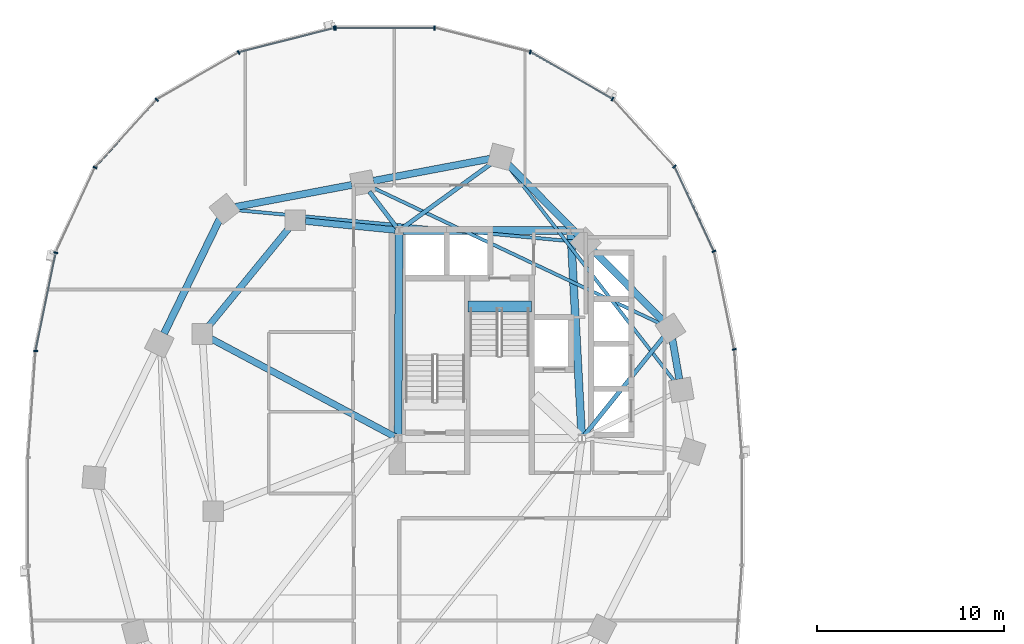
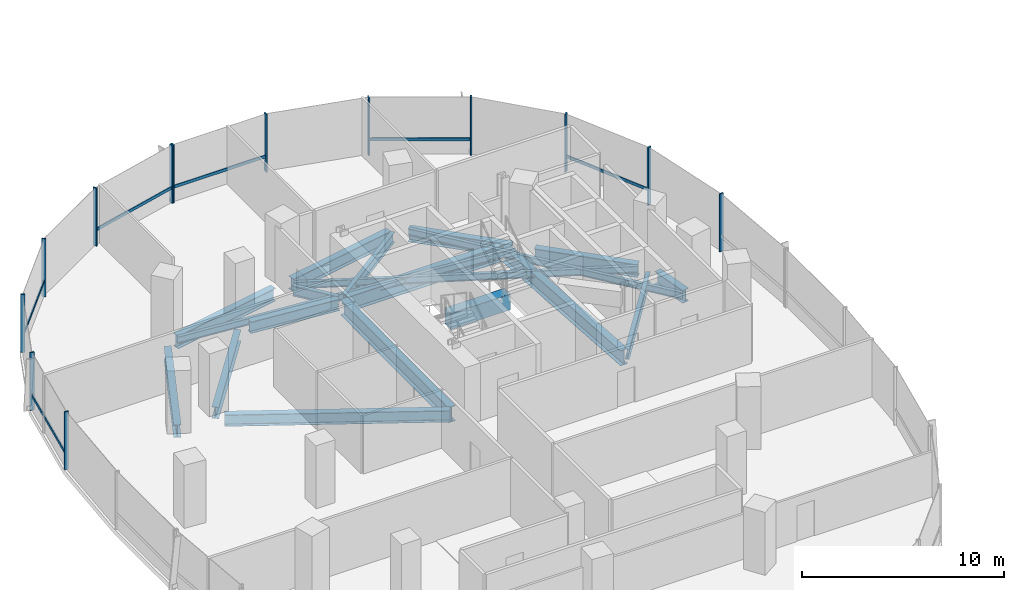
# One storey, part 4 of 21: 19 beams, 19 members, 2 elements without a shape of their own.
"""IFC4 building model written with IfcOpenShell, lengths in metres."""

from ifc_helpers import new_model, si_unit, direction, frame, origin, origin_2d, place, context, subcontext, project, spatial, rectangle, i_section, extrude, material, material_profile, profile_set, type_object, element, aggregate, save


model = new_model("IFC4")

# Units and contexts
model_context = context("Model", 3, precision=1e-05, world=origin(), true_north=direction((0.0, 1.0)))
body_context = subcontext(model_context, "Body", "Model", "MODEL_VIEW")
ifc_project = project(units=[si_unit("LENGTHUNIT", "METRE"), si_unit("AREAUNIT", "SQUARE_METRE"), si_unit("VOLUMEUNIT", "CUBIC_METRE"), si_unit("PLANEANGLEUNIT", "RADIAN"), si_unit("MASSUNIT", "GRAM", prefix="KILO"), si_unit("THERMODYNAMICTEMPERATUREUNIT", "KELVIN"), si_unit("POWERUNIT", "WATT")], contexts=[model_context])

# Site, building, storey
site_placement = place(None, origin())
site = spatial("IfcSite", under=ifc_project, at=site_placement, CompositionType="ELEMENT")
building_placement = place(site_placement, origin())
building = spatial("IfcBuilding", under=site, at=building_placement, Name="Cundina Bronze Exchange", CompositionType="ELEMENT")
storey_placement = place(building_placement, frame((0.0, 0.0, 58.199951171875)))
storey = spatial("IfcBuildingStorey", under=building, at=storey_placement, Name="L14", CompositionType="ELEMENT", Elevation=58.199951171875)

# Beams
ifc_material_1 = material(Name="Concrete C60/75", Category="concrete")
ifc_material_profile_1 = material_profile(ifc_material_1, rectangle(XDim=0.60009765625, YDim=0.949951171875, at=origin_2d()), Name="RC600X950", Category="concrete")
ifc_profile_set_1 = profile_set([ifc_material_profile_1], Name="Concrete C60/75")
beam_type_1 = type_object("IfcBeamType", Name="BM-COUP-RC950", PredefinedType="LINTEL", material=ifc_profile_set_1)
beam_1_placement = place(storey_placement, frame((-27.56005859375, 10.97998046875, -0.474853515625), z_axis=(1.0, 0.0, 0.0), x_axis=(0.0, 1.0, 0.0)))
element("IfcBeam", 1, at=beam_1_placement, inside=storey, type_object=beam_type_1, Name="L14 Stair W2 Landing Header Beam", PredefinedType="LINTEL", context=body_context, shape_type="SweptSolid", body=[
    extrude(rectangle(XDim=0.60009765625, YDim=0.949951171875, at=origin_2d()), origin(), (0.0, 0.0, 1.0), 3.400146484375),
])
ifc_material_2 = material(Name="Steel ASTM A992 Grade 50", Category="steel")
ifc_material_profile_2 = material_profile(ifc_material_2, i_section(OverallWidth=0.22998046875, OverallDepth=0.616943359375, WebThickness=0.01318359375, FlangeThickness=0.022216796875, FilletRadius=0.013916015625, at=origin_2d()), Name="W24X94", Category="steel")
ifc_profile_set_2 = profile_set([ifc_material_profile_2], Name="Steel ASTM A992 Grade 50")
beam_type_2 = type_object("IfcBeamType", Name="BM-FLR-W24B", PredefinedType="BEAM", material=ifc_profile_set_2)
beam_2_placement = place(storey_placement, frame((-21.322021484375, 4.058837890625, -0.6083984375), z_axis=(0.627106366175, 0.778933633568, 0.0), x_axis=(-0.778933633568, 0.627106366175, 0.0)))
element("IfcBeam", 2, at=beam_2_placement, inside=storey, type_object=beam_type_2, Name="L14 Leg W Radial Floor Beam 02", PredefinedType="BEAM", context=body_context, shape_type="SweptSolid", body=[
    extrude(i_section(OverallWidth=0.22998046875, OverallDepth=0.616943359375, WebThickness=0.01318359375, FlangeThickness=0.022216796875, FilletRadius=0.013916015625, at=origin_2d()), origin(), (0.0, 0.0, 1.0), 6.78271484375),
])
beam_3_placement = place(storey_placement, frame((-31.084716796875, 15.169677734375, -0.6083984375), z_axis=(0.809700299677, 0.586843611794, 0.0), x_axis=(-0.586843611794, 0.809700299677, 0.0)))
element("IfcBeam", 3, at=beam_3_placement, inside=storey, type_object=beam_type_2, Name="L14 Leg W Radial Floor Beam 04", PredefinedType="BEAM", context=body_context, shape_type="SweptSolid", body=[
    extrude(i_section(OverallWidth=0.22998046875, OverallDepth=0.616943359375, WebThickness=0.01318359375, FlangeThickness=0.022216796875, FilletRadius=0.013916015625, at=origin_2d()), origin(), (0.0, 0.0, 1.0), 5.938720703125),
])
beam_4_placement = place(storey_placement, frame((-31.373779296875, 15.2119140625, -0.6083984375), z_axis=(-0.607468844289, 0.794343504548, 0.0), x_axis=(-0.794343504548, -0.607468844289, 0.0)))
element("IfcBeam", 4, at=beam_4_placement, inside=storey, type_object=beam_type_2, Name="L14 Leg W Radial Floor Beam 05", PredefinedType="BEAM", context=body_context, shape_type="SweptSolid", body=[
    extrude(i_section(OverallWidth=0.22998046875, OverallDepth=0.616943359375, WebThickness=0.01318359375, FlangeThickness=0.022216796875, FilletRadius=0.013916015625, at=origin_2d()), origin(), (0.0, 0.0, 1.0), 2.418212890625),
])
ifc_material_profile_3 = material_profile(ifc_material_2, i_section(OverallWidth=0.178955078125, OverallDepth=0.409912109375, WebThickness=0.0087890625, FlangeThickness=0.014404296875, FilletRadius=0.010986328125, at=origin_2d()), Name="W16X45", Category="steel")
ifc_profile_set_3 = profile_set([ifc_material_profile_3], Name="Steel ASTM A992 Grade 50")
beam_type_3 = type_object("IfcBeamType", Name="BM-JST-W16", PredefinedType="JOIST", material=ifc_profile_set_3)
beam_5_placement = place(storey_placement, frame((-16.48486328125, 6.965087890625, -0.5048828125), z_axis=(-0.612089386305, 0.790788583108, 0.0), x_axis=(-0.790788583108, -0.612089386305, 0.0)))
element("IfcBeam", 5, at=beam_5_placement, inside=storey, type_object=beam_type_3, Name="L14 Leg W Lobe Floor Joist 01-04", PredefinedType="JOIST", context=body_context, shape_type="SweptSolid", body=[
    extrude(i_section(OverallWidth=0.178955078125, OverallDepth=0.409912109375, WebThickness=0.0087890625, FlangeThickness=0.014404296875, FilletRadius=0.010986328125, at=origin_2d()), origin(), (0.0, 0.0, 1.0), 14.630859375),
])
beam_6_placement = place(storey_placement, frame((-17.231689453125, 10.05126953125, -0.5048828125), z_axis=(-0.904072668297, 0.427378766949, 0.0), x_axis=(-0.427378766949, -0.904072668297, 0.0)))
element("IfcBeam", 6, at=beam_6_placement, inside=storey, type_object=beam_type_3, Name="L14 Leg W Lobe Floor Joist 02-05", PredefinedType="JOIST", context=body_context, shape_type="SweptSolid", body=[
    extrude(i_section(OverallWidth=0.178955078125, OverallDepth=0.409912109375, WebThickness=0.0087890625, FlangeThickness=0.014404296875, FilletRadius=0.010986328125, at=origin_2d()), origin(), (0.0, 0.0, 1.0), 17.07470703125),
])
beam_7_placement = place(storey_placement, frame((-21.83544921875, 14.45458984375, -0.5048828125), z_axis=(-0.995701961644, 0.09261535282, 0.0), x_axis=(-0.09261535282, -0.995701961644, 0.0)))
element("IfcBeam", 7, at=beam_7_placement, inside=storey, type_object=beam_type_3, Name="L14 Leg W Lobe Floor Joist 03-06", PredefinedType="JOIST", context=body_context, shape_type="SweptSolid", body=[
    extrude(i_section(OverallWidth=0.178955078125, OverallDepth=0.409912109375, WebThickness=0.0087890625, FlangeThickness=0.014404296875, FilletRadius=0.010986328125, at=origin_2d()), origin(), (0.0, 0.0, 1.0), 18.25732421875),
])
ifc_material_profile_4 = material_profile(ifc_material_2, i_section(OverallWidth=0.35498046875, OverallDepth=0.695068359375, WebThickness=0.015380859375, FlangeThickness=0.02490234375, FilletRadius=0.01806640625, at=origin_2d()), Name="W27X146", Category="steel")
ifc_profile_set_4 = profile_set([ifc_material_profile_4], Name="Steel ASTM A992 Grade 50")
beam_type_4 = type_object("IfcBeamType", Name="BM-RING-W27", PredefinedType="USERDEFINED", material=ifc_profile_set_4)
beam_8_placement = place(storey_placement, frame((-31.452880859375, 15.070068359375, -0.6474609375), z_axis=(-0.995126271817, 0.098608839051, 0.0), x_axis=(-0.098608839051, -0.995126271817, 0.0)))
element("IfcBeam", 8, at=beam_8_placement, inside=storey, type_object=beam_type_4, Name="L14 W Inner Structural Ring Girder 01", ObjectType="GIRDER", PredefinedType="USERDEFINED", context=body_context, shape_type="SweptSolid", body=[
    extrude(i_section(OverallWidth=0.35498046875, OverallDepth=0.695068359375, WebThickness=0.015380859375, FlangeThickness=0.02490234375, FilletRadius=0.01806640625, at=origin_2d()), origin(), (0.0, 0.0, 1.0), 4.83544921875),
])
beam_9_placement = place(storey_placement, frame((-37.14111328125, 15.183837890625, -0.6474609375), z_axis=(-0.633926549035, -0.773393257295, 0.0), x_axis=(0.773393257295, -0.633926549035, 0.0)))
element("IfcBeam", 9, at=beam_9_placement, inside=storey, type_object=beam_type_4, Name="L14 W Inner Structural Ring Girder 02", ObjectType="GIRDER", PredefinedType="USERDEFINED", context=body_context, shape_type="SweptSolid", body=[
    extrude(i_section(OverallWidth=0.35498046875, OverallDepth=0.695068359375, WebThickness=0.015380859375, FlangeThickness=0.02490234375, FilletRadius=0.01806640625, at=origin_2d()), origin(), (0.0, 0.0, 1.0), 6.811279296875),
])
beam_10_placement = place(storey_placement, frame((-31.47998046875, 3.99609375, -0.6474609375), z_axis=(-0.882354758239, 0.470584828286, 0.0), x_axis=(-0.470584828286, -0.882354758239, 0.0)))
element("IfcBeam", 10, at=beam_10_placement, inside=storey, type_object=beam_type_4, Name="L14 W Core-to-Waist Tie Beam 2", ObjectType="GIRDER", PredefinedType="USERDEFINED", context=body_context, shape_type="SweptSolid", body=[
    extrude(i_section(OverallWidth=0.35498046875, OverallDepth=0.695068359375, WebThickness=0.015380859375, FlangeThickness=0.02490234375, FilletRadius=0.01806640625, at=origin_2d()), origin(), (0.0, 0.0, 1.0), 11.157958984375),
])
ifc_material_profile_5 = material_profile(ifc_material_2, i_section(OverallWidth=0.381103515625, OverallDepth=0.77294921875, WebThickness=0.0166015625, FlangeThickness=0.027099609375, FilletRadius=0.01904296875, at=origin_2d()), Name="W30X173", Category="steel")
ifc_profile_set_5 = profile_set([ifc_material_profile_5], Name="Steel ASTM A992 Grade 50")
beam_type_5 = type_object("IfcBeamType", Name="BM-RING-W30", PredefinedType="USERDEFINED", material=ifc_profile_set_5)
beam_11_placement = place(storey_placement, frame((-16.225830078125, 7.079345703125, -0.6865234375), z_axis=(-0.171734584051, 0.985143254883, 0.0), x_axis=(-0.985143254883, -0.171734584051, 0.0)))
element("IfcBeam", 11, at=beam_11_placement, inside=storey, type_object=beam_type_5, Name="L14 W Perimeter Ring Girder 01", ObjectType="GIRDER", PredefinedType="USERDEFINED", context=body_context, shape_type="SweptSolid", body=[
    extrude(i_section(OverallWidth=0.381103515625, OverallDepth=0.77294921875, WebThickness=0.0166015625, FlangeThickness=0.027099609375, FilletRadius=0.01904296875, at=origin_2d()), origin(), (0.0, 0.0, 1.0), 2.173583984375),
])
for number, where, z_axis, x_axis, name in (
    (12, (-17.113525390625, 10.218017578125, -0.6865234375), (-0.703222428859, 0.710969911845, 0.0), (-0.710969911845, -0.703222428859, 0.0), "L14 W Perimeter Ring Girder 02"),
    (13, (-21.66357421875, 14.818115234375, -0.6865234375), (-0.703222428859, 0.710969911845, 0.0), (-0.710969911845, -0.703222428859, 0.0), "L14 W Perimeter Ring Girder 03"),
):
    element("IfcBeam", number, at=place(storey_placement, frame(where, z_axis=z_axis, x_axis=x_axis)), inside=storey, type_object=beam_type_5, Name=name, ObjectType="GIRDER", PredefinedType="USERDEFINED", context=body_context, shape_type="SweptSolid", body=[
        extrude(i_section(OverallWidth=0.381103515625, OverallDepth=0.77294921875, WebThickness=0.0166015625, FlangeThickness=0.027099609375, FilletRadius=0.01904296875, at=origin_2d()), origin(), (0.0, 0.0, 1.0), 5.2939453125),
    ])
beam_12_placement = place(storey_placement, frame((-26.377685546875, 18.890625, -0.6865234375), z_axis=(-0.982570814598, -0.185888661031, 0.0), x_axis=(0.185888661031, -0.982570814598, 0.0)))
element("IfcBeam", 14, at=beam_12_placement, inside=storey, type_object=beam_type_5, Name="L14 W Perimeter Ring Girder 04", ObjectType="GIRDER", PredefinedType="USERDEFINED", context=body_context, shape_type="SweptSolid", body=[
    extrude(i_section(OverallWidth=0.381103515625, OverallDepth=0.77294921875, WebThickness=0.0166015625, FlangeThickness=0.027099609375, FilletRadius=0.01904296875, at=origin_2d()), origin(), (0.0, 0.0, 1.0), 6.35546875),
])
beam_13_placement = place(storey_placement, frame((-33.77783203125, 17.49072265625, -0.6865234375), z_axis=(-0.982569487119, -0.185895677686, 0.0), x_axis=(0.185895677686, -0.982569487119, 0.0)))
element("IfcBeam", 15, at=beam_13_placement, inside=storey, type_object=beam_type_5, Name="L14 W Perimeter Ring Girder 05", ObjectType="GIRDER", PredefinedType="USERDEFINED", context=body_context, shape_type="SweptSolid", body=[
    extrude(i_section(OverallWidth=0.381103515625, OverallDepth=0.77294921875, WebThickness=0.0166015625, FlangeThickness=0.027099609375, FilletRadius=0.01904296875, at=origin_2d()), origin(), (0.0, 0.0, 1.0), 6.355224609375),
])
beam_14_placement = place(storey_placement, frame((-40.857177734375, 15.671142578125, -0.6865234375), z_axis=(-0.437190698904, -0.899368830231, 0.0), x_axis=(0.899368830231, -0.437190698904, 0.0)))
element("IfcBeam", 16, at=beam_14_placement, inside=storey, type_object=beam_type_5, Name="L14 W Perimeter Ring Girder 06", ObjectType="GIRDER", PredefinedType="USERDEFINED", context=body_context, shape_type="SweptSolid", body=[
    extrude(i_section(OverallWidth=0.381103515625, OverallDepth=0.77294921875, WebThickness=0.0166015625, FlangeThickness=0.027099609375, FilletRadius=0.01904296875, at=origin_2d()), origin(), (0.0, 0.0, 1.0), 6.82958984375),
])
ifc_material_profile_6 = material_profile(ifc_material_2, i_section(OverallWidth=0.41796875, OverallDepth=0.927001953125, WebThickness=0.019287109375, FlangeThickness=0.031982421875, FilletRadius=0.02392578125, at=origin_2d()), Name="W36X231", Category="steel")
ifc_profile_set_6 = profile_set([ifc_material_profile_6], Name="Steel ASTM A992 Grade 50")
beam_type_6 = type_object("IfcBeamType", Name="BM-WRN-W36B", PredefinedType="USERDEFINED", material=ifc_profile_set_6)
beam_15_placement = place(storey_placement, frame((-21.4609375, 4.103759765625, -0.763427734375), z_axis=(-0.053739193498, 0.998555005537, 0.0), x_axis=(-0.998555005537, -0.053739193498, 0.0)))
element("IfcBeam", 17, at=beam_15_placement, inside=storey, type_object=beam_type_6, Name="L14 W Core Perimeter Tie Girder 2", ObjectType="GIRDER", PredefinedType="USERDEFINED", context=body_context, shape_type="SweptSolid", body=[
    extrude(i_section(OverallWidth=0.41796875, OverallDepth=0.927001953125, WebThickness=0.019287109375, FlangeThickness=0.031982421875, FilletRadius=0.02392578125, at=origin_2d()), origin(), (0.0, 0.0, 1.0), 10.758056640625),
])
beam_16_placement = place(storey_placement, frame((-22.25390625, 15.050048828125, -0.763427734375), z_axis=(-1.0, 0.0, 0.0), x_axis=(0.0, -1.0, 0.0)))
element("IfcBeam", 18, at=beam_16_placement, inside=storey, type_object=beam_type_6, Name="L14 W Core Perimeter Tie Girder 3", ObjectType="GIRDER", PredefinedType="USERDEFINED", context=body_context, shape_type="SweptSolid", body=[
    extrude(i_section(OverallWidth=0.41796875, OverallDepth=0.927001953125, WebThickness=0.019287109375, FlangeThickness=0.031982421875, FilletRadius=0.02392578125, at=origin_2d()), origin(), (0.0, 0.0, 1.0), 8.7919921875),
])
beam_17_placement = place(storey_placement, frame((-31.2509765625, 14.845947265625, -0.763427734375), z_axis=(-0.004477329608, -0.99998997671, 0.0), x_axis=(0.99998997671, -0.004477329608, 0.0)))
element("IfcBeam", 19, at=beam_17_placement, inside=storey, type_object=beam_type_6, Name="L14 W Core Perimeter Tie Girder 4", ObjectType="GIRDER", PredefinedType="USERDEFINED", context=body_context, shape_type="SweptSolid", body=[
    extrude(i_section(OverallWidth=0.41796875, OverallDepth=0.927001953125, WebThickness=0.019287109375, FlangeThickness=0.031982421875, FilletRadius=0.02392578125, at=origin_2d()), origin(), (0.0, 0.0, 1.0), 10.741943359375),
])

# Curtain wall, members
ifc_material_3 = material(Name="Anodised Bronze Aluminium 6063-T6", Category="aluminium")
curtain_wall_type = type_object("IfcCurtainWallType", Name="CWS-TRD-LOW", PredefinedType="NOTDEFINED", material=ifc_material_3)
curtain_wall_1_placement = place(storey_placement, origin())
curtain_wall_1 = element("IfcCurtainWall", 20, at=curtain_wall_1_placement, inside=storey, type_object=curtain_wall_type, Name="L14 CW-02 Curtain Wall Run CWR-L14-W1", PredefinedType="NOTDEFINED")
ifc_material_profile_7 = material_profile(ifc_material_3, rectangle(XDim=0.074951171875, YDim=0.219970703125, at=origin_2d()), Name="AL75X220", Category="aluminium")
ifc_profile_set_7 = profile_set([ifc_material_profile_7], Name="Anodised Bronze Aluminium 6063-T6")
member_type_1 = type_object("IfcMemberType", Name="CWM-MUL-220", PredefinedType="MULLION", material=ifc_profile_set_7)
member_1_placement = place(storey_placement, frame((-13.282958984375, 8.67822265625, 0.0), z_axis=(0.0, 0.0, 1.0), x_axis=(-0.201419845156, 0.979505000486, 0.0)))
member_1 = element("IfcMember", 21, at=member_1_placement, type_object=member_type_1, Name="CW-02 Mullion 2", PredefinedType="MULLION", context=body_context, shape_type="SweptSolid", body=[
    extrude(rectangle(XDim=0.074951171875, YDim=0.219970703125, at=origin_2d()), origin(), (0.0, 0.0, 1.0), 3.5),
])
member_2_placement = place(storey_placement, frame((-14.3720703125, 13.931884765625, 0.0), z_axis=(0.0, 0.0, 1.0), x_axis=(-0.42087749791, 0.907117485088, 0.0)))
member_2 = element("IfcMember", 22, at=member_2_placement, type_object=member_type_1, Name="CW-02 Mullion 3", PredefinedType="MULLION", context=body_context, shape_type="SweptSolid", body=[
    extrude(rectangle(XDim=0.074951171875, YDim=0.219970703125, at=origin_2d()), origin(), (0.0, 0.0, 1.0), 3.5),
])
member_3_placement = place(storey_placement, frame((-16.491455078125, 18.47705078125, 0.0), z_axis=(0.0, 0.0, 1.0), x_axis=(-0.674302387584, 0.738455340626, 0.0)))
member_3 = element("IfcMember", 23, at=member_3_placement, type_object=member_type_1, Name="CW-02 Mullion 4", PredefinedType="MULLION", context=body_context, shape_type="SweptSolid", body=[
    extrude(rectangle(XDim=0.074951171875, YDim=0.219970703125, at=origin_2d()), origin(), (0.0, 0.0, 1.0), 3.5),
])
member_4_placement = place(storey_placement, frame((-19.810302734375, 22.097412109375, 0.0), z_axis=(0.0, 0.0, 1.0), x_axis=(-0.867070701164, 0.498185105339, 0.0)))
member_4 = element("IfcMember", 24, at=member_4_placement, type_object=member_type_1, Name="CW-02 Mullion 5", PredefinedType="MULLION", context=body_context, shape_type="SweptSolid", body=[
    extrude(rectangle(XDim=0.074951171875, YDim=0.219970703125, at=origin_2d()), origin(), (0.0, 0.0, 1.0), 3.5),
])
member_5_placement = place(storey_placement, frame((-24.21484375, 24.61669921875, 0.0), z_axis=(0.0, 0.0, 1.0), x_axis=(-0.969488149345, 0.245138182011, 0.0)))
member_5 = element("IfcMember", 25, at=member_5_placement, type_object=member_type_1, Name="CW-02 Mullion 6", PredefinedType="MULLION", context=body_context, shape_type="SweptSolid", body=[
    extrude(rectangle(XDim=0.074951171875, YDim=0.219970703125, at=origin_2d()), origin(), (0.0, 0.0, 1.0), 3.5),
])
member_6_placement = place(storey_placement, frame((-29.345458984375, 25.905029296875, 0.0), z_axis=(0.0, 0.0, 1.0), x_axis=(-1.0, 0.0, 0.0)))
member_6 = element("IfcMember", 26, at=member_6_placement, type_object=member_type_1, Name="CW-02 Mullion 7", PredefinedType="MULLION", context=body_context, shape_type="SweptSolid", body=[
    extrude(rectangle(XDim=0.074951171875, YDim=0.219970703125, at=origin_2d()), origin(), (0.0, 0.0, 1.0), 3.5),
])
member_7_placement = place(storey_placement, frame((-34.654541015625, 25.905029296875, 0.0), z_axis=(0.0, 0.0, 1.0), x_axis=(-1.0, 0.0, 0.0)))
member_7 = element("IfcMember", 27, at=member_7_placement, type_object=member_type_1, Name="CW-02 End Mullion", PredefinedType="MULLION", context=body_context, shape_type="SweptSolid", body=[
    extrude(rectangle(XDim=0.074951171875, YDim=0.219970703125, at=origin_2d()), origin(), (0.0, 0.0, 1.0), 3.5),
])

curtain_wall_2_placement = place(storey_placement, origin())
curtain_wall_2 = element("IfcCurtainWall", 28, at=curtain_wall_2_placement, inside=storey, type_object=curtain_wall_type, Name="L14 CW-02 Curtain Wall Run CWR-L14-W2", PredefinedType="NOTDEFINED")
member_8_placement = place(storey_placement, frame((-34.72607421875, 25.89599609375, 0.0), z_axis=(0.0, 0.0, 1.0), x_axis=(-0.969488149345, -0.245138182011, 0.0)))
member_8 = element("IfcMember", 29, at=member_8_placement, type_object=member_type_1, Name="CW-02 Mullion 1", PredefinedType="MULLION", context=body_context, shape_type="SweptSolid", body=[
    extrude(rectangle(XDim=0.074951171875, YDim=0.219970703125, at=origin_2d()), origin(), (0.0, 0.0, 1.0), 3.5),
])
member_9_placement = place(storey_placement, frame((-39.848876953125, 24.591064453125, 0.0), z_axis=(0.0, 0.0, 1.0), x_axis=(-0.867070701164, -0.498185105339, 0.0)))
member_9 = element("IfcMember", 30, at=member_9_placement, type_object=member_type_1, Name="CW-02 Mullion 2", PredefinedType="MULLION", context=body_context, shape_type="SweptSolid", body=[
    extrude(rectangle(XDim=0.074951171875, YDim=0.219970703125, at=origin_2d()), origin(), (0.0, 0.0, 1.0), 3.5),
])
member_10_placement = place(storey_placement, frame((-44.239501953125, 22.0576171875, 0.0), z_axis=(0.0, 0.0, 1.0), x_axis=(-0.674302387584, -0.738455340626, 0.0)))
member_10 = element("IfcMember", 31, at=member_10_placement, type_object=member_type_1, Name="CW-02 Mullion 3", PredefinedType="MULLION", context=body_context, shape_type="SweptSolid", body=[
    extrude(rectangle(XDim=0.074951171875, YDim=0.219970703125, at=origin_2d()), origin(), (0.0, 0.0, 1.0), 3.5),
])
member_11_placement = place(storey_placement, frame((-47.544189453125, 18.423583984375, 0.0), z_axis=(0.0, 0.0, 1.0), x_axis=(-0.42087749791, -0.907117485088, 0.0)))
member_11 = element("IfcMember", 32, at=member_11_placement, type_object=member_type_1, Name="CW-02 Mullion 4", PredefinedType="MULLION", context=body_context, shape_type="SweptSolid", body=[
    extrude(rectangle(XDim=0.074951171875, YDim=0.219970703125, at=origin_2d()), origin(), (0.0, 0.0, 1.0), 3.5),
])
member_12_placement = place(storey_placement, frame((-49.651123046875, 13.861328125, 0.0), z_axis=(0.0, 0.0, 1.0), x_axis=(-0.201419845156, -0.979505000486, 0.0)))
member_12 = element("IfcMember", 33, at=member_12_placement, type_object=member_type_1, Name="CW-02 Mullion 5", PredefinedType="MULLION", context=body_context, shape_type="SweptSolid", body=[
    extrude(rectangle(XDim=0.074951171875, YDim=0.219970703125, at=origin_2d()), origin(), (0.0, 0.0, 1.0), 3.5),
])
member_13_placement = place(storey_placement, frame((-50.72900390625, 8.591552734375, 0.0), z_axis=(0.0, 0.0, 1.0), x_axis=(-0.070278787473, -0.997527389113, 0.0)))
member_13 = element("IfcMember", 34, at=member_13_placement, type_object=member_type_1, Name="CW-02 Mullion 6", PredefinedType="MULLION", context=body_context, shape_type="SweptSolid", body=[
    extrude(rectangle(XDim=0.074951171875, YDim=0.219970703125, at=origin_2d()), origin(), (0.0, 0.0, 1.0), 3.5),
])

# Member
ifc_material_profile_8 = material_profile(ifc_material_3, rectangle(XDim=0.070068359375, YDim=0.179931640625, at=origin_2d()), Name="AL70X180", Category="aluminium")
ifc_profile_set_8 = profile_set([ifc_material_profile_8], Name="Anodised Bronze Aluminium 6063-T6")
member_type_2 = type_object("IfcMemberType", Name="CWM-TRN-180", PredefinedType="USERDEFINED", material=ifc_profile_set_8)
member_14_placement = place(storey_placement, frame((-14.389404296875, 13.96923828125, 0.920166015625), z_axis=(-0.420811422796, 0.907148139195, 0.0), x_axis=(-0.907148139195, -0.420811422796, 0.0)))
member_14 = element("IfcMember", 35, at=member_14_placement, type_object=member_type_2, Name="CW-02 Spandrel Transom 3", ObjectType="TRANSOM", PredefinedType="USERDEFINED", context=body_context, shape_type="SweptSolid", body=[
    extrude(rectangle(XDim=0.070068359375, YDim=0.179931640625, at=origin_2d()), origin(), (0.0, 0.0, 1.0), 4.95166015625),
])

member_15_placement = place(storey_placement, frame((-19.845947265625, 22.117919921875, 0.920166015625), z_axis=(-0.867097475651, 0.498138502546, 0.0), x_axis=(-0.498138502546, -0.867097475651, 0.0)))
member_15 = element("IfcMember", 36, at=member_15_placement, type_object=member_type_2, Name="CW-02 Spandrel Transom 5", ObjectType="TRANSOM", PredefinedType="USERDEFINED", context=body_context, shape_type="SweptSolid", body=[
    extrude(rectangle(XDim=0.070068359375, YDim=0.179931640625, at=origin_2d()), origin(), (0.0, 0.0, 1.0), 5.00634765625),
])

member_16_placement = place(storey_placement, frame((-29.38671875, 25.905029296875, 0.920166015625), z_axis=(-1.0, 0.0, 0.0), x_axis=(0.0, -1.0, 0.0)))
member_16 = element("IfcMember", 37, at=member_16_placement, type_object=member_type_2, Name="CW-02 Spandrel Transom 7", ObjectType="TRANSOM", PredefinedType="USERDEFINED", context=body_context, shape_type="SweptSolid", body=[
    extrude(rectangle(XDim=0.070068359375, YDim=0.179931640625, at=origin_2d()), origin(), (0.0, 0.0, 1.0), 5.2265625),
])

aggregate(curtain_wall_1, [member_1, member_2, member_14, member_3, member_4, member_15, member_5, member_6, member_7, member_16])

member_17_placement = place(storey_placement, frame((-34.76611328125, 25.885986328125, 0.920166015625), z_axis=(-0.969483968866, -0.245154714644, 0.0), x_axis=(0.245154714644, -0.969483968866, 0.0)))
member_17 = element("IfcMember", 38, at=member_17_placement, type_object=member_type_2, Name="CW-02 Spandrel Transom 1", ObjectType="TRANSOM", PredefinedType="USERDEFINED", context=body_context, shape_type="SweptSolid", body=[
    extrude(rectangle(XDim=0.070068359375, YDim=0.179931640625, at=origin_2d()), origin(), (0.0, 0.0, 1.0), 5.21826171875),
])

member_18_placement = place(storey_placement, frame((-44.26708984375, 22.027099609375, 0.920166015625), z_axis=(-0.674302794847, -0.738454968743, 0.0), x_axis=(0.738454968743, -0.674302794847, 0.0)))
member_18 = element("IfcMember", 39, at=member_18_placement, type_object=member_type_2, Name="CW-02 Spandrel Transom 3", ObjectType="TRANSOM", PredefinedType="USERDEFINED", context=body_context, shape_type="SweptSolid", body=[
    extrude(rectangle(XDim=0.070068359375, YDim=0.179931640625, at=origin_2d()), origin(), (0.0, 0.0, 1.0), 4.848388671875),
])

member_19_placement = place(storey_placement, frame((-49.659423828125, 13.821044921875, 0.920166015625), z_axis=(-0.201427712708, -0.979503382615, 0.0), x_axis=(0.979503382615, -0.201427712708, 0.0)))
member_19 = element("IfcMember", 40, at=member_19_placement, type_object=member_type_2, Name="CW-02 Spandrel Transom 5", ObjectType="TRANSOM", PredefinedType="USERDEFINED", context=body_context, shape_type="SweptSolid", body=[
    extrude(rectangle(XDim=0.070068359375, YDim=0.179931640625, at=origin_2d()), origin(), (0.0, 0.0, 1.0), 5.291748046875),
])

aggregate(curtain_wall_2, [member_8, member_17, member_9, member_10, member_18, member_11, member_12, member_19, member_13])

save(model, "model.ifc")
